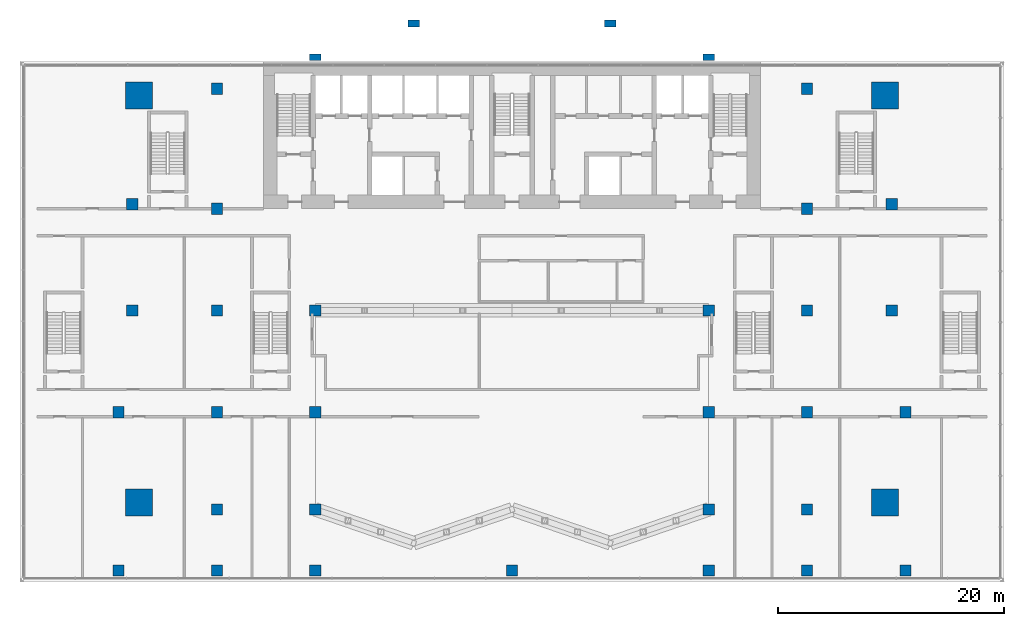
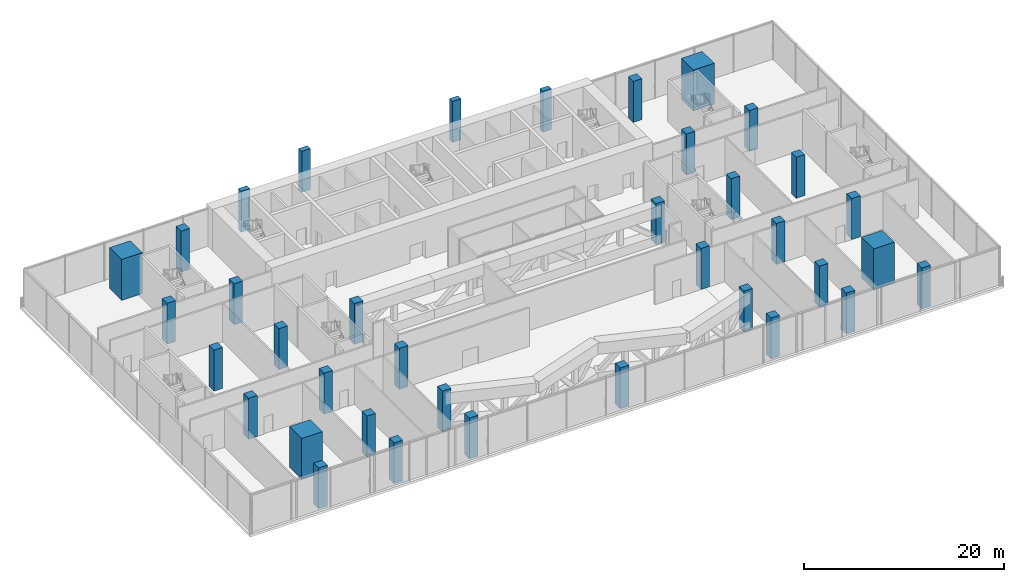
# One storey, part 1 of 22: 37 columns.
"""IFC4 building model written with IfcOpenShell, lengths in metres."""

from ifc_helpers import new_model, si_unit, direction, frame, origin, origin_2d, place, context, subcontext, project, spatial, rectangle, extrude, material, material_profile, profile_set, type_object, element, save


model = new_model("IFC4")

# Units and contexts
model_context = context("Model", 3, precision=1e-05, world=origin(), true_north=direction((0.0, 1.0)))
body_context = subcontext(model_context, "Body", "Model", "MODEL_VIEW")
ifc_project = project(units=[si_unit("LENGTHUNIT", "METRE"), si_unit("AREAUNIT", "SQUARE_METRE"), si_unit("VOLUMEUNIT", "CUBIC_METRE"), si_unit("PLANEANGLEUNIT", "RADIAN"), si_unit("MASSUNIT", "GRAM", prefix="KILO")], contexts=[model_context])

# Site, building, storey
site_placement = place(None, origin())
site = spatial("IfcSite", under=ifc_project, at=site_placement, CompositionType="ELEMENT")
building_placement = place(site_placement, origin())
building = spatial("IfcBuilding", under=site, at=building_placement, Name="Bicima Exchange Tower", CompositionType="ELEMENT")
storey_placement = place(building_placement, frame((0.0, 0.0, 20.0)))
storey = spatial("IfcBuildingStorey", under=building, at=storey_placement, Name="L03", CompositionType="ELEMENT", Elevation=20.0)

# Columns
ifc_material = material(Name="Concrete C60/75", Category="concrete")
ifc_material_profile_1 = material_profile(ifc_material, rectangle(XDim=2.39990234375, YDim=2.39990234375, at=origin_2d()))
ifc_profile_set_1 = profile_set([ifc_material_profile_1], Name="Concrete C60/75")
column_type_1 = type_object("IfcColumnType", Name="Reinforced concrete mega column 2400 x 2400", PredefinedType="COLUMN", material=ifc_profile_set_1)
for number, where, z_axis, x_axis, name in (
    (1, (-33.0, -39.0, 0.0), (0.0, 0.0, 1.0), (1.0, 0.0, 0.0), "Mega column"),
    (2, (-33.0, -3.0, 0.0), (0.0, 0.0, 1.0), (1.0, 0.0, 0.0), "Mega column"),
    (3, (33.0, -39.0, 0.0), (0.0, 0.0, 1.0), (1.0, 0.0, 0.0), "Mega column"),
    (4, (33.0, -3.0, 0.0), (0.0, 0.0, 1.0), (1.0, 0.0, 0.0), "Mega column"),
):
    element("IfcColumn", number, at=place(storey_placement, frame(where, z_axis=z_axis, x_axis=x_axis)), inside=storey, type_object=column_type_1, Name=name, PredefinedType="COLUMN", context=body_context, shape_type="SweptSolid", body=[
        extrude(rectangle(XDim=2.39990234375, YDim=2.39990234375, at=origin_2d()), origin(), (0.0, 0.0, 1.0), 5.0),
    ])
ifc_material_profile_2 = material_profile(ifc_material, rectangle(XDim=1.0, YDim=1.0, at=origin_2d()))
ifc_profile_set_2 = profile_set([ifc_material_profile_2], Name="Concrete C60/75")
column_type_2 = type_object("IfcColumnType", Name="Reinforced concrete podium column 1000 x 1000", PredefinedType="COLUMN", material=ifc_profile_set_2)
for number, where, z_axis, x_axis, name in (
    (5, (-26.10009765625, -39.60009765625, 0.0), (0.0, 0.0, 1.0), (1.0, 0.0, 0.0), "Column"),
    (6, (-26.10009765625, -2.39990234375, 0.0), (0.0, 0.0, 1.0), (1.0, 0.0, 0.0), "Column"),
    (7, (-17.39990234375, -39.60009765625, 0.0), (0.0, 0.0, 1.0), (1.0, 0.0, 0.0), "Column"),
    (8, (17.39990234375, -39.60009765625, 0.0), (0.0, 0.0, 1.0), (1.0, 0.0, 0.0), "Column"),
    (9, (26.10009765625, -39.60009765625, 0.0), (0.0, 0.0, 1.0), (1.0, 0.0, 0.0), "Column"),
    (10, (26.10009765625, -2.39990234375, 0.0), (0.0, 0.0, 1.0), (1.0, 0.0, 0.0), "Column"),
    (11, (-33.60009765625, -12.60009765625, 0.0), (0.0, 0.0, 1.0), (1.0, 0.0, 0.0), "Column"),
    (12, (-33.60009765625, -22.0, 0.0), (0.0, 0.0, 1.0), (1.0, 0.0, 0.0), "Column"),
    (13, (33.60009765625, -12.60009765625, 0.0), (0.0, 0.0, 1.0), (1.0, 0.0, 0.0), "Column"),
    (14, (33.60009765625, -22.0, 0.0), (0.0, 0.0, 1.0), (1.0, 0.0, 0.0), "Column"),
    (15, (-26.10009765625, -22.0, 0.0), (0.0, 0.0, 1.0), (1.0, 0.0, 0.0), "Column"),
    (16, (-17.39990234375, -22.0, 0.0), (0.0, 0.0, 1.0), (1.0, 0.0, 0.0), "Column"),
    (17, (17.39990234375, -22.0, 0.0), (0.0, 0.0, 1.0), (1.0, 0.0, 0.0), "Column"),
    (18, (26.10009765625, -22.0, 0.0), (0.0, 0.0, 1.0), (1.0, 0.0, 0.0), "Column"),
    (19, (-34.800048828125, -31.0, 0.0), (0.0, 0.0, 1.0), (1.0, 0.0, 0.0), "Column"),
    (20, (-34.800048828125, -45.0, 0.0), (0.0, 0.0, 1.0), (1.0, 0.0, 0.0), "Column"),
    (21, (-26.10009765625, -13.0, 0.0), (0.0, 0.0, 1.0), (1.0, 0.0, 0.0), "Column"),
    (22, (-26.10009765625, -31.0, 0.0), (0.0, 0.0, 1.0), (1.0, 0.0, 0.0), "Column"),
    (23, (-26.10009765625, -45.0, 0.0), (0.0, 0.0, 1.0), (1.0, 0.0, 0.0), "Column"),
    (24, (-17.39990234375, -31.0, 0.0), (0.0, 0.0, 1.0), (1.0, 0.0, 0.0), "Column"),
    (25, (-17.39990234375, -45.0, 0.0), (0.0, 0.0, 1.0), (1.0, 0.0, 0.0), "Column"),
    (26, (0.0, -45.0, 0.0), (0.0, 0.0, 1.0), (1.0, 0.0, 0.0), "Column"),
    (27, (17.39990234375, -31.0, 0.0), (0.0, 0.0, 1.0), (1.0, 0.0, 0.0), "Column"),
    (28, (17.39990234375, -45.0, 0.0), (0.0, 0.0, 1.0), (1.0, 0.0, 0.0), "Column"),
    (29, (26.10009765625, -13.0, 0.0), (0.0, 0.0, 1.0), (1.0, 0.0, 0.0), "Column"),
    (30, (26.10009765625, -31.0, 0.0), (0.0, 0.0, 1.0), (1.0, 0.0, 0.0), "Column"),
    (31, (26.10009765625, -45.0, 0.0), (0.0, 0.0, 1.0), (1.0, 0.0, 0.0), "Column"),
    (32, (34.800048828125, -31.0, 0.0), (0.0, 0.0, 1.0), (1.0, 0.0, 0.0), "Column"),
    (33, (34.800048828125, -45.0, 0.0), (0.0, 0.0, 1.0), (1.0, 0.0, 0.0), "Column"),
):
    element("IfcColumn", number, at=place(storey_placement, frame(where, z_axis=z_axis, x_axis=x_axis)), inside=storey, type_object=column_type_2, Name=name, PredefinedType="COLUMN", context=body_context, shape_type="SweptSolid", body=[
        extrude(rectangle(XDim=1.0, YDim=1.0, at=origin_2d()), origin(), (0.0, 0.0, 1.0), 5.0),
    ])
ifc_material_profile_3 = material_profile(ifc_material, rectangle(XDim=1.0, YDim=0.60009765625, at=origin_2d()))
ifc_profile_set_3 = profile_set([ifc_material_profile_3], Name="Concrete C60/75")
column_type_3 = type_object("IfcColumnType", Name="Reinforced concrete rear pilaster column 1000 x 600", PredefinedType="COLUMN", material=ifc_profile_set_3)
for number, where, z_axis, x_axis, name in (
    (34, (-8.699951171875, 3.39111328125, 0.0), (0.0, 0.0, 1.0), (1.0, 0.0, 0.0), "Column"),
    (35, (-17.39990234375, 0.39990234375, 0.0), (0.0, 0.0, 1.0), (1.0, 0.0, 0.0), "Column"),
    (36, (8.699951171875, 3.39111328125, 0.0), (0.0, 0.0, 1.0), (1.0, 0.0, 0.0), "Column"),
    (37, (17.39990234375, 0.39990234375, 0.0), (0.0, 0.0, 1.0), (1.0, 0.0, 0.0), "Column"),
):
    element("IfcColumn", number, at=place(storey_placement, frame(where, z_axis=z_axis, x_axis=x_axis)), inside=storey, type_object=column_type_3, Name=name, PredefinedType="COLUMN", context=body_context, shape_type="SweptSolid", body=[
        extrude(rectangle(XDim=1.0, YDim=0.60009765625, at=origin_2d()), origin(), (0.0, 0.0, 1.0), 5.0),
    ])

save(model, "model.ifc")
